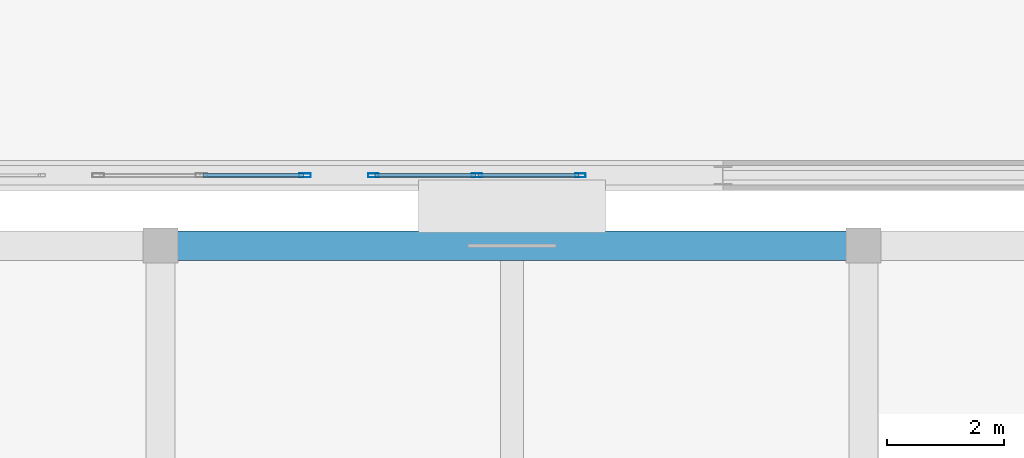
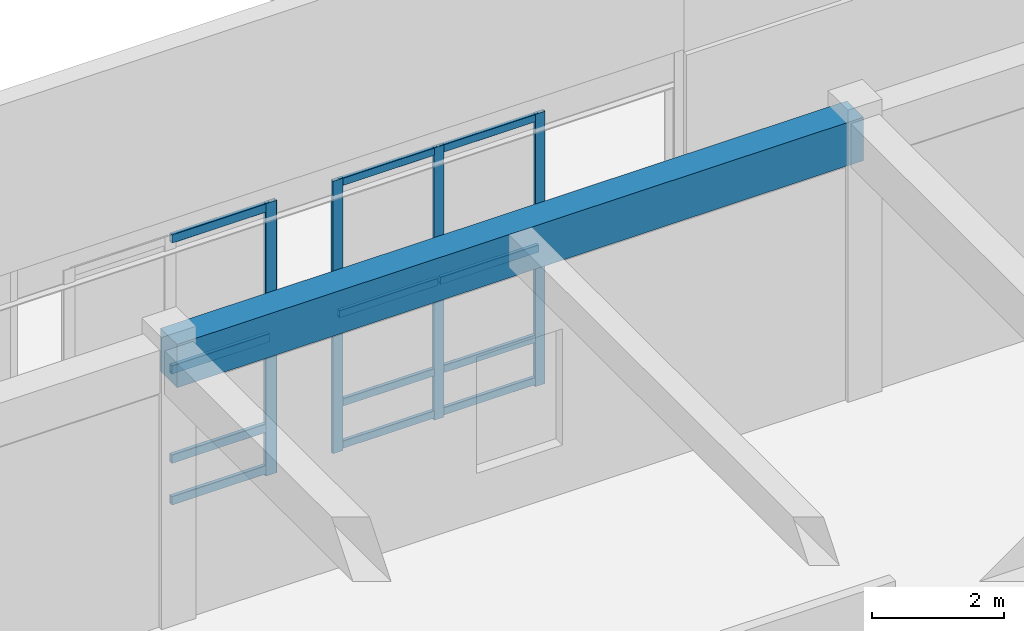
# One storey, part 113 of 197: 16 members, 1 beam, 2 elements without a shape of their own.
"""IFC4 building model written with IfcOpenShell, lengths in metres."""

from ifc_helpers import new_model, si_unit, derived_unit, direction, frame, origin, origin_2d, place, context, subcontext, project, spatial, rectangle, hollow_rectangle, extrude, material, layer, layer_set, material_profile, profile_set, type_object, element, aggregate, save


model = new_model("IFC4")

# Units and contexts
model_context = context("Model", 3, precision=1e-05, world=origin(), true_north=direction((0.0, 1.0)))
body_context = subcontext(model_context, "Body", "Model", "MODEL_VIEW")
ifc_project = project(units=[si_unit("LENGTHUNIT", "METRE"), si_unit("AREAUNIT", "SQUARE_METRE"), si_unit("VOLUMEUNIT", "CUBIC_METRE"), si_unit("PLANEANGLEUNIT", "RADIAN"), si_unit("MASSUNIT", "GRAM", prefix="KILO"), derived_unit("THERMALTRANSMITTANCEUNIT", [(si_unit("POWERUNIT", "WATT"), 1), (si_unit("LENGTHUNIT", "METRE"), -2), (si_unit("THERMODYNAMICTEMPERATUREUNIT", "KELVIN"), -1)])], contexts=[model_context])

# Site, building, storey
site_placement = place(None, origin())
site = spatial("IfcSite", under=ifc_project, at=site_placement, CompositionType="ELEMENT")
building_placement = place(site_placement, origin())
building = spatial("IfcBuilding", under=site, at=building_placement, Name="Almenara Railside Exhibition Hall", CompositionType="ELEMENT")
storey_placement = place(building_placement, frame((0.0, 0.0, 5.39990234375)))
storey = spatial("IfcBuildingStorey", under=building, at=storey_placement, Name="L01", CompositionType="ELEMENT", Elevation=5.39990234375)

# Curtain wall, members
ifc_material_1 = material(Name="Bronze-anodised aluminium and low-E double glazing", Category="aluminium")
ifc_layer = layer(ifc_material_1, 0.179931640625, Name="Bronze-anodised aluminium and low-E double glazing")
ifc_layer_set = layer_set([ifc_layer], Name="Bronze-anodised aluminium and low-E double glazing")
curtain_wall_type = type_object("IfcCurtainWallType", Name="Scroll Gable Standard Curtain Wall 3600x5000", PredefinedType="NOTDEFINED", material=ifc_layer_set)
curtain_wall_1_placement = place(storey_placement, origin())
curtain_wall_1 = element("IfcCurtainWall", 1, at=curtain_wall_1_placement, inside=storey, type_object=curtain_wall_type, Name="Curtain wall CW-G2-085", PredefinedType="NOTDEFINED")
ifc_material_2 = material(Name="Bronze-anodised aluminium", Category="aluminium")
ifc_material_profile_1 = material_profile(ifc_material_2, hollow_rectangle(XDim=0.06494140625, YDim=0.179931640625, WallThickness=0.00390625, InnerFilletRadius=0.00390625, OuterFilletRadius=0.008056640625, at=origin_2d()), Name="ALU-MUL 65x180x4")
ifc_profile_set_1 = profile_set([ifc_material_profile_1], Name="Bronze-anodised aluminium")
member_type_1 = type_object("IfcMemberType", Name="Curtain Wall Mullion 65x180x4", PredefinedType="MULLION", material=ifc_profile_set_1)
member_1_placement = place(storey_placement, frame((177.632568359375, 34.0, 1.01513671875), z_axis=(0.0, 0.0, 1.0), x_axis=(0.0, 1.0, 0.0)))
member_1 = element("IfcMember", 2, at=member_1_placement, type_object=member_type_1, Name="CW-G2-085 mullion 1", PredefinedType="MULLION", context=body_context, shape_type="SweptSolid", body=[
    extrude(hollow_rectangle(XDim=0.06494140625, YDim=0.179931640625, WallThickness=0.00390625, InnerFilletRadius=0.00390625, OuterFilletRadius=0.008056640625, at=origin_2d()), origin(), (0.0, 0.0, 1.0), 5.034912109375),
])
member_2_placement = place(storey_placement, frame((179.39990234375, 34.0, 1.01513671875), z_axis=(0.0, 0.0, 1.0), x_axis=(0.0, 1.0, 0.0)))
member_2 = element("IfcMember", 3, at=member_2_placement, type_object=member_type_1, Name="CW-G2-085 mullion 2", PredefinedType="MULLION", context=body_context, shape_type="SweptSolid", body=[
    extrude(hollow_rectangle(XDim=0.06494140625, YDim=0.179931640625, WallThickness=0.00390625, InnerFilletRadius=0.00390625, OuterFilletRadius=0.008056640625, at=origin_2d()), origin(), (0.0, 0.0, 1.0), 5.034912109375),
])
member_3_placement = place(storey_placement, frame((181.16748046875, 34.0, 1.01513671875), z_axis=(0.0, 0.0, 1.0), x_axis=(0.0, 1.0, 0.0)))
member_3 = element("IfcMember", 4, at=member_3_placement, type_object=member_type_1, Name="CW-G2-085 mullion 3", PredefinedType="MULLION", context=body_context, shape_type="SweptSolid", body=[
    extrude(hollow_rectangle(XDim=0.06494140625, YDim=0.179931640625, WallThickness=0.00390625, InnerFilletRadius=0.00390625, OuterFilletRadius=0.008056640625, at=origin_2d()), origin(), (0.0, 0.0, 1.0), 5.034912109375),
])

# Curtain wall, member
curtain_wall_2_placement = place(storey_placement, origin())
curtain_wall_2 = element("IfcCurtainWall", 5, at=curtain_wall_2_placement, inside=storey, type_object=curtain_wall_type, Name="Curtain wall CW-G2-084", PredefinedType="NOTDEFINED")
ifc_material_profile_2 = material_profile(ifc_material_2, hollow_rectangle(XDim=0.070068359375, YDim=0.199951171875, WallThickness=0.00439453125, InnerFilletRadius=0.00439453125, OuterFilletRadius=0.009033203125, at=origin_2d()), Name="ALU-MUL 70x200x4.5")
ifc_profile_set_2 = profile_set([ifc_material_profile_2], Name="Bronze-anodised aluminium")
member_type_2 = type_object("IfcMemberType", Name="Curtain Wall Mullion 70x200x4.5", PredefinedType="MULLION", material=ifc_profile_set_2)
member_4_placement = place(storey_placement, frame((176.465087890625, 34.0, 1.01513671875), z_axis=(0.0, 0.0, 1.0), x_axis=(0.0, 1.0, 0.0)))
member_4 = element("IfcMember", 6, at=member_4_placement, type_object=member_type_2, Name="CW-G2-084 mullion 3", PredefinedType="MULLION", context=body_context, shape_type="SweptSolid", body=[
    extrude(hollow_rectangle(XDim=0.070068359375, YDim=0.199951171875, WallThickness=0.00439453125, InnerFilletRadius=0.00439453125, OuterFilletRadius=0.009033203125, at=origin_2d()), origin(), (0.0, 0.0, 1.0), 5.034912109375),
])

# Member
ifc_material_profile_3 = material_profile(ifc_material_2, hollow_rectangle(XDim=0.06494140625, YDim=0.139892578125, WallThickness=0.00341796875, InnerFilletRadius=0.00341796875, OuterFilletRadius=0.007080078125, at=origin_2d()), Name="ALU-TRN 65x140x3.5")
ifc_profile_set_3 = profile_set([ifc_material_profile_3], Name="Bronze-anodised aluminium")
member_type_3 = type_object("IfcMemberType", Name="Curtain Wall Transom 65x140x3.5", PredefinedType="USERDEFINED", material=ifc_profile_set_3)
member_5_placement = place(storey_placement, frame((177.656982421875, 34.0, 1.1201171875), z_axis=(1.0, 0.0, 0.0), x_axis=(0.0, 1.0, 0.0)))
member_5 = element("IfcMember", 7, at=member_5_placement, type_object=member_type_3, Name="CW-G2-085 transom 1.1", ObjectType="TRANSOM", PredefinedType="USERDEFINED", context=body_context, shape_type="SweptSolid", body=[
    extrude(hollow_rectangle(XDim=0.06494140625, YDim=0.139892578125, WallThickness=0.00341796875, InnerFilletRadius=0.00341796875, OuterFilletRadius=0.007080078125, at=origin_2d()), origin(), (0.0, 0.0, 1.0), 1.718505859375),
])

member_6_placement = place(storey_placement, frame((177.656982421875, 34.0, 1.900146484375), z_axis=(1.0, 0.0, 0.0), x_axis=(0.0, 1.0, 0.0)))
member_6 = element("IfcMember", 8, at=member_6_placement, type_object=member_type_3, Name="CW-G2-085 transom 1.2", ObjectType="TRANSOM", PredefinedType="USERDEFINED", context=body_context, shape_type="SweptSolid", body=[
    extrude(hollow_rectangle(XDim=0.06494140625, YDim=0.139892578125, WallThickness=0.00341796875, InnerFilletRadius=0.00341796875, OuterFilletRadius=0.007080078125, at=origin_2d()), origin(), (0.0, 0.0, 1.0), 1.718505859375),
])

member_7_placement = place(storey_placement, frame((177.656982421875, 34.0, 3.550048828125), z_axis=(1.0, 0.0, 0.0), x_axis=(0.0, 1.0, 0.0)))
member_7 = element("IfcMember", 9, at=member_7_placement, type_object=member_type_3, Name="CW-G2-085 transom 1.3", ObjectType="TRANSOM", PredefinedType="USERDEFINED", context=body_context, shape_type="SweptSolid", body=[
    extrude(hollow_rectangle(XDim=0.06494140625, YDim=0.139892578125, WallThickness=0.00341796875, InnerFilletRadius=0.00341796875, OuterFilletRadius=0.007080078125, at=origin_2d()), origin(), (0.0, 0.0, 1.0), 1.718505859375),
])

member_8_placement = place(storey_placement, frame((177.656982421875, 34.0, 5.97998046875), z_axis=(1.0, 0.0, 0.0), x_axis=(0.0, 1.0, 0.0)))
member_8 = element("IfcMember", 10, at=member_8_placement, type_object=member_type_3, Name="CW-G2-085 transom 1.4", ObjectType="TRANSOM", PredefinedType="USERDEFINED", context=body_context, shape_type="SweptSolid", body=[
    extrude(hollow_rectangle(XDim=0.06494140625, YDim=0.139892578125, WallThickness=0.00341796875, InnerFilletRadius=0.00341796875, OuterFilletRadius=0.007080078125, at=origin_2d()), origin(), (0.0, 0.0, 1.0), 1.718505859375),
])

member_9_placement = place(storey_placement, frame((179.424560546875, 34.0, 1.1201171875), z_axis=(1.0, 0.0, 0.0), x_axis=(0.0, 1.0, 0.0)))
member_9 = element("IfcMember", 11, at=member_9_placement, type_object=member_type_3, Name="CW-G2-085 transom 2.1", ObjectType="TRANSOM", PredefinedType="USERDEFINED", context=body_context, shape_type="SweptSolid", body=[
    extrude(hollow_rectangle(XDim=0.06494140625, YDim=0.139892578125, WallThickness=0.00341796875, InnerFilletRadius=0.00341796875, OuterFilletRadius=0.007080078125, at=origin_2d()), origin(), (0.0, 0.0, 1.0), 1.718505859375),
])

member_10_placement = place(storey_placement, frame((179.424560546875, 34.0, 1.900146484375), z_axis=(1.0, 0.0, 0.0), x_axis=(0.0, 1.0, 0.0)))
member_10 = element("IfcMember", 12, at=member_10_placement, type_object=member_type_3, Name="CW-G2-085 transom 2.2", ObjectType="TRANSOM", PredefinedType="USERDEFINED", context=body_context, shape_type="SweptSolid", body=[
    extrude(hollow_rectangle(XDim=0.06494140625, YDim=0.139892578125, WallThickness=0.00341796875, InnerFilletRadius=0.00341796875, OuterFilletRadius=0.007080078125, at=origin_2d()), origin(), (0.0, 0.0, 1.0), 1.718505859375),
])

member_11_placement = place(storey_placement, frame((179.424560546875, 34.0, 3.550048828125), z_axis=(1.0, 0.0, 0.0), x_axis=(0.0, 1.0, 0.0)))
member_11 = element("IfcMember", 13, at=member_11_placement, type_object=member_type_3, Name="CW-G2-085 transom 2.3", ObjectType="TRANSOM", PredefinedType="USERDEFINED", context=body_context, shape_type="SweptSolid", body=[
    extrude(hollow_rectangle(XDim=0.06494140625, YDim=0.139892578125, WallThickness=0.00341796875, InnerFilletRadius=0.00341796875, OuterFilletRadius=0.007080078125, at=origin_2d()), origin(), (0.0, 0.0, 1.0), 1.718505859375),
])

member_12_placement = place(storey_placement, frame((179.424560546875, 34.0, 5.97998046875), z_axis=(1.0, 0.0, 0.0), x_axis=(0.0, 1.0, 0.0)))
member_12 = element("IfcMember", 14, at=member_12_placement, type_object=member_type_3, Name="CW-G2-085 transom 2.4", ObjectType="TRANSOM", PredefinedType="USERDEFINED", context=body_context, shape_type="SweptSolid", body=[
    extrude(hollow_rectangle(XDim=0.06494140625, YDim=0.139892578125, WallThickness=0.00341796875, InnerFilletRadius=0.00341796875, OuterFilletRadius=0.007080078125, at=origin_2d()), origin(), (0.0, 0.0, 1.0), 1.718505859375),
])

aggregate(curtain_wall_1, [member_1, member_2, member_3, member_5, member_6, member_7, member_8, member_9, member_10, member_11, member_12])

ifc_material_profile_4 = material_profile(ifc_material_2, hollow_rectangle(XDim=0.070068359375, YDim=0.159912109375, WallThickness=0.00390625, InnerFilletRadius=0.00390625, OuterFilletRadius=0.008056640625, at=origin_2d()), Name="ALU-TRN 70x160x4")
ifc_profile_set_4 = profile_set([ifc_material_profile_4], Name="Bronze-anodised aluminium")
member_type_4 = type_object("IfcMemberType", Name="Curtain Wall Transom 70x160x4", PredefinedType="USERDEFINED", material=ifc_profile_set_4)
member_13_placement = place(storey_placement, frame((174.72705078125, 34.0, 1.130126953125), z_axis=(1.0, 0.0, 0.0), x_axis=(0.0, 1.0, 0.0)))
member_13 = element("IfcMember", 15, at=member_13_placement, type_object=member_type_4, Name="CW-G2-084 transom 2.1", ObjectType="TRANSOM", PredefinedType="USERDEFINED", context=body_context, shape_type="SweptSolid", body=[
    extrude(hollow_rectangle(XDim=0.070068359375, YDim=0.159912109375, WallThickness=0.00390625, InnerFilletRadius=0.00390625, OuterFilletRadius=0.008056640625, at=origin_2d()), origin(), (0.0, 0.0, 1.0), 1.7109375),
])

member_14_placement = place(storey_placement, frame((174.72705078125, 34.0, 1.900146484375), z_axis=(1.0, 0.0, 0.0), x_axis=(0.0, 1.0, 0.0)))
member_14 = element("IfcMember", 16, at=member_14_placement, type_object=member_type_4, Name="CW-G2-084 transom 2.2", ObjectType="TRANSOM", PredefinedType="USERDEFINED", context=body_context, shape_type="SweptSolid", body=[
    extrude(hollow_rectangle(XDim=0.070068359375, YDim=0.159912109375, WallThickness=0.00390625, InnerFilletRadius=0.00390625, OuterFilletRadius=0.008056640625, at=origin_2d()), origin(), (0.0, 0.0, 1.0), 1.7109375),
])

member_15_placement = place(storey_placement, frame((174.72705078125, 34.0, 3.550048828125), z_axis=(1.0, 0.0, 0.0), x_axis=(0.0, 1.0, 0.0)))
member_15 = element("IfcMember", 17, at=member_15_placement, type_object=member_type_4, Name="CW-G2-084 transom 2.3", ObjectType="TRANSOM", PredefinedType="USERDEFINED", context=body_context, shape_type="SweptSolid", body=[
    extrude(hollow_rectangle(XDim=0.070068359375, YDim=0.159912109375, WallThickness=0.00390625, InnerFilletRadius=0.00390625, OuterFilletRadius=0.008056640625, at=origin_2d()), origin(), (0.0, 0.0, 1.0), 1.7109375),
])

member_16_placement = place(storey_placement, frame((174.72705078125, 34.0, 5.97021484375), z_axis=(1.0, 0.0, 0.0), x_axis=(0.0, 1.0, 0.0)))
member_16 = element("IfcMember", 18, at=member_16_placement, type_object=member_type_4, Name="CW-G2-084 transom 2.4", ObjectType="TRANSOM", PredefinedType="USERDEFINED", context=body_context, shape_type="SweptSolid", body=[
    extrude(hollow_rectangle(XDim=0.070068359375, YDim=0.159912109375, WallThickness=0.00390625, InnerFilletRadius=0.00390625, OuterFilletRadius=0.008056640625, at=origin_2d()), origin(), (0.0, 0.0, 1.0), 1.7109375),
])

aggregate(curtain_wall_2, [member_4, member_13, member_14, member_15, member_16])

# Beam
ifc_material_3 = material(Name="Concrete C35/45", Category="concrete")
ifc_material_profile_5 = material_profile(ifc_material_3, rectangle(XDim=0.5, YDim=0.800048828125, at=origin_2d()), Name="RC 500x800")
ifc_profile_set_5 = profile_set([ifc_material_profile_5], Name="Concrete C35/45")
beam_type = type_object("IfcBeamType", Name="RC Primary Beam 500x800 C35/45", PredefinedType="BEAM", material=ifc_profile_set_5)
beam_placement = place(storey_placement, frame((174.0, 32.800048828125, 4.736083984375), z_axis=(1.0, 0.0, 0.0), x_axis=(0.0, 1.0, 0.0)))
element("IfcBeam", 19, at=beam_placement, inside=storey, type_object=beam_type, Name="Beam 0197", PredefinedType="BEAM", context=body_context, shape_type="SweptSolid", body=[
    extrude(rectangle(XDim=0.5, YDim=0.800048828125, at=origin_2d()), origin(), (0.0, 0.0, 1.0), 12.0),
])

save(model, "model.ifc")
